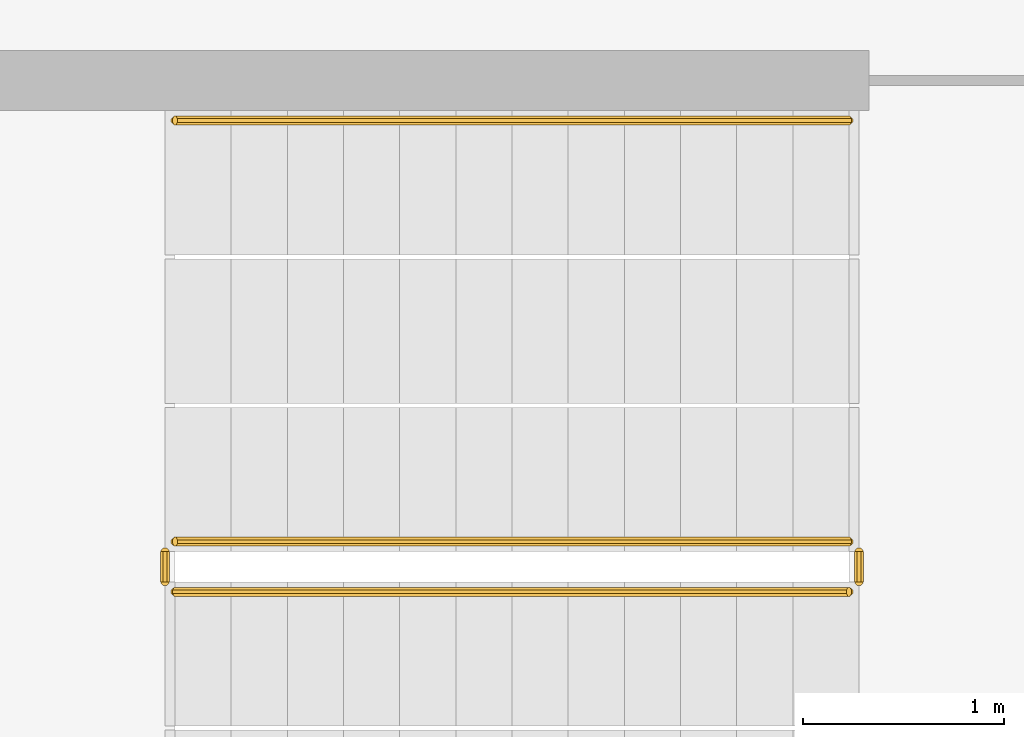
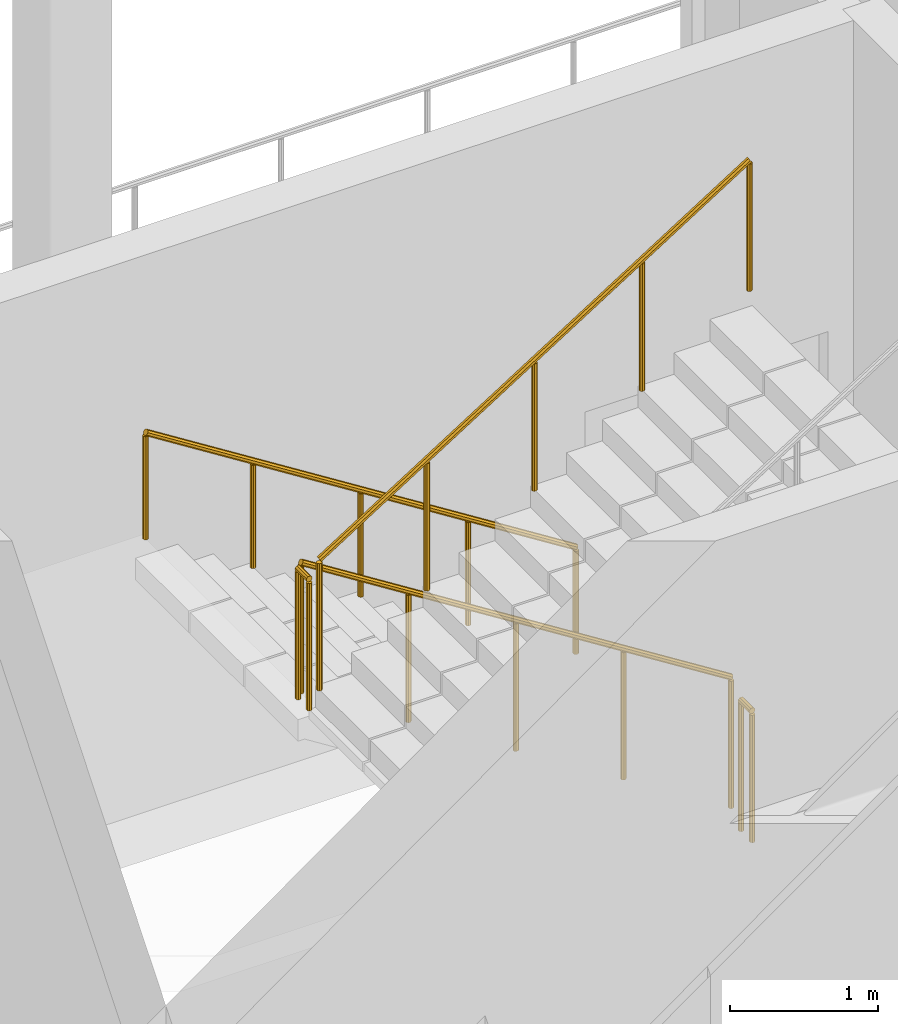
# One storey, part 22 of 31: 5 railings.
"""IFC4 building model written with IfcOpenShell, lengths in metres."""

from ifc_helpers import new_model, si_unit, direction, frame, origin, place, context, subcontext, project, spatial, polyline, outline, extrude, material, type_object, element, save


model = new_model("IFC4")

# Units and contexts
model_context = context("Model", 3, precision=1e-05, world=origin(), true_north=direction((0.0, 1.0)))
body_context = subcontext(model_context, "Body", "Model", "MODEL_VIEW")
ifc_project = project(units=[si_unit("LENGTHUNIT", "METRE"), si_unit("AREAUNIT", "SQUARE_METRE"), si_unit("VOLUMEUNIT", "CUBIC_METRE"), si_unit("PLANEANGLEUNIT", "RADIAN"), si_unit("MASSUNIT", "GRAM", prefix="KILO")], contexts=[model_context])

# Site, building, storey
site_placement = place(None, origin())
site = spatial("IfcSite", under=ifc_project, at=site_placement, CompositionType="ELEMENT")
building_placement = place(site_placement, origin())
building = spatial("IfcBuilding", under=site, at=building_placement, Name="Cormorant Relay Tower", CompositionType="ELEMENT")
storey_placement = place(building_placement, frame((0.0, 0.0, 107.60009765625)))
storey = spatial("IfcBuildingStorey", under=building, at=storey_placement, Name="L21", CompositionType="ELEMENT", Elevation=107.60009765625)

# Railings
ifc_material_1 = material(Name="Steel ASTM A572 Grade 50 (Fy 345 MPa)", Category="steel")
railing_type_1 = type_object("IfcRailingType", Name="Stair guard 1100", PredefinedType="GUARDRAIL", material=ifc_material_1)
railing_1_placement = place(storey_placement, frame((1.60009765625, -18.27490234375, 0.1767578125)))
element("IfcRailing", 1, at=railing_1_placement, inside=storey, type_object=railing_type_1, Name="L21 RK1 stair guard 1", PredefinedType="GUARDRAIL", context=body_context, shape_type="SweptSolid", body=[
    extrude(outline(polyline([(0.022216796875, 0.00927734375), (0.00927734375, 0.022216796875), (-0.00927734375, 0.022216796875), (-0.022216796875, 0.00927734375), (-0.022216796875, -0.00927734375), (-0.00927734375, -0.022216796875), (0.00927734375, -0.022216796875), (0.022216796875, -0.00927734375), (0.022216796875, 0.00927734375)])), frame((0.0, 0.0, 1.076171875), z_axis=(-0.845389635667, 0.0, 0.534150132366), x_axis=(0.0, -1.0, 0.0)), (0.0, 0.0, 1.0), 3.974609375),
    extrude(outline(polyline([(0.019287109375, 0.008056640625), (0.008056640625, 0.019287109375), (-0.008056640625, 0.019287109375), (-0.019287109375, 0.008056640625), (-0.019287109375, -0.008056640625), (-0.008056640625, -0.019287109375), (0.008056640625, -0.019287109375), (0.019287109375, -0.008056640625), (0.019287109375, 0.008056640625)])), origin(), (0.0, 0.0, 1.0), 1.052001953125),
    extrude(outline(polyline([(0.019287109375, 0.008056640625), (0.008056640625, 0.019287109375), (-0.008056640625, 0.019287109375), (-0.019287109375, 0.008056640625), (-0.019287109375, -0.008056640625), (-0.008056640625, -0.019287109375), (0.008056640625, -0.019287109375), (0.019287109375, -0.008056640625), (0.019287109375, 0.008056640625)])), frame((-0.840087890625, 0.0, 0.53076171875)), (0.0, 0.0, 1.0), 1.052001953125),
    extrude(outline(polyline([(0.019287109375, 0.008056640625), (0.008056640625, 0.019287109375), (-0.008056640625, 0.019287109375), (-0.019287109375, 0.008056640625), (-0.019287109375, -0.008056640625), (-0.008056640625, -0.019287109375), (0.008056640625, -0.019287109375), (0.019287109375, -0.008056640625), (0.019287109375, 0.008056640625)])), frame((-1.68017578125, 0.0, 1.0615234375)), (0.0, 0.0, 1.0), 1.052001953125),
    extrude(outline(polyline([(0.019287109375, 0.008056640625), (0.008056640625, 0.019287109375), (-0.008056640625, 0.019287109375), (-0.019287109375, 0.008056640625), (-0.019287109375, -0.008056640625), (-0.008056640625, -0.019287109375), (0.008056640625, -0.019287109375), (0.019287109375, -0.008056640625), (0.019287109375, 0.008056640625)])), frame((-2.52001953125, 0.0, 1.59228515625)), (0.0, 0.0, 1.0), 1.052001953125),
    extrude(outline(polyline([(0.019287109375, 0.008056640625), (0.008056640625, 0.019287109375), (-0.008056640625, 0.019287109375), (-0.019287109375, 0.008056640625), (-0.019287109375, -0.008056640625), (-0.008056640625, -0.019287109375), (0.008056640625, -0.019287109375), (0.019287109375, -0.008056640625), (0.019287109375, 0.008056640625)])), frame((-3.360107421875, 0.0, 2.123046875)), (0.0, 0.0, 1.0), 1.052001953125),
])
railing_2_placement = place(storey_placement, frame((-1.81005859375, -18.324951171875, 2.2998046875)))
element("IfcRailing", 2, at=railing_2_placement, inside=storey, type_object=railing_type_1, Name="L21 RK1 stair guard 2", PredefinedType="GUARDRAIL", context=body_context, shape_type="SweptSolid", body=[
    extrude(outline(polyline([(0.022216796875, 0.00927734375), (0.00927734375, 0.022216796875), (-0.00927734375, 0.022216796875), (-0.022216796875, 0.00927734375), (-0.022216796875, -0.00927734375), (-0.00927734375, -0.022216796875), (0.00927734375, -0.022216796875), (0.022216796875, -0.00927734375), (0.022216796875, 0.00927734375)])), frame((0.0, 0.0, 1.076171875), z_axis=(0.0, -1.0, 0.0), x_axis=(1.0, 0.0, 0.0)), (0.0, 0.0, 1.0), 0.150146484375),
    extrude(outline(polyline([(0.019287109375, 0.008056640625), (0.008056640625, 0.019287109375), (-0.008056640625, 0.019287109375), (-0.019287109375, 0.008056640625), (-0.019287109375, -0.008056640625), (-0.008056640625, -0.019287109375), (0.008056640625, -0.019287109375), (0.019287109375, -0.008056640625), (0.019287109375, 0.008056640625)])), origin(), (0.0, 0.0, 1.0), 1.052001953125),
    extrude(outline(polyline([(0.019287109375, 0.008056640625), (0.008056640625, 0.019287109375), (-0.008056640625, 0.019287109375), (-0.019287109375, 0.008056640625), (-0.019287109375, -0.008056640625), (-0.008056640625, -0.019287109375), (0.008056640625, -0.019287109375), (0.019287109375, -0.008056640625), (0.019287109375, 0.008056640625)])), frame((0.0, -0.150146484375, 0.0)), (0.0, 0.0, 1.0), 1.052001953125),
])
railing_3_placement = place(storey_placement, frame((-1.760009765625, -18.52490234375, 2.476806640625)))
element("IfcRailing", 3, at=railing_3_placement, inside=storey, type_object=railing_type_1, Name="L21 RK1 stair guard 3", PredefinedType="GUARDRAIL", context=body_context, shape_type="SweptSolid", body=[
    extrude(outline(polyline([(0.022216796875, 0.00927734375), (0.00927734375, 0.022216796875), (-0.00927734375, 0.022216796875), (-0.022216796875, 0.00927734375), (-0.022216796875, -0.00927734375), (-0.00927734375, -0.022216796875), (0.00927734375, -0.022216796875), (0.022216796875, -0.00927734375), (0.022216796875, 0.00927734375)])), frame((0.0, 0.0, 1.076171875), z_axis=(0.845389635667, 0.0, 0.534150132366), x_axis=(0.0, 1.0, 0.0)), (0.0, 0.0, 1.0), 3.974609375),
    extrude(outline(polyline([(0.019287109375, 0.008056640625), (0.008056640625, 0.019287109375), (-0.008056640625, 0.019287109375), (-0.019287109375, 0.008056640625), (-0.019287109375, -0.008056640625), (-0.008056640625, -0.019287109375), (0.008056640625, -0.019287109375), (0.019287109375, -0.008056640625), (0.019287109375, 0.008056640625)])), origin(), (0.0, 0.0, 1.0), 1.052001953125),
    extrude(outline(polyline([(0.019287109375, 0.008056640625), (0.008056640625, 0.019287109375), (-0.008056640625, 0.019287109375), (-0.019287109375, 0.008056640625), (-0.019287109375, -0.008056640625), (-0.008056640625, -0.019287109375), (0.008056640625, -0.019287109375), (0.019287109375, -0.008056640625), (0.019287109375, 0.008056640625)])), frame((0.840087890625, 0.0, 0.53076171875)), (0.0, 0.0, 1.0), 1.052001953125),
    extrude(outline(polyline([(0.019287109375, 0.008056640625), (0.008056640625, 0.019287109375), (-0.008056640625, 0.019287109375), (-0.019287109375, 0.008056640625), (-0.019287109375, -0.008056640625), (-0.008056640625, -0.019287109375), (0.008056640625, -0.019287109375), (0.019287109375, -0.008056640625), (0.019287109375, 0.008056640625)])), frame((1.68017578125, 0.0, 1.0615234375)), (0.0, 0.0, 1.0), 1.052001953125),
    extrude(outline(polyline([(0.019287109375, 0.008056640625), (0.008056640625, 0.019287109375), (-0.008056640625, 0.019287109375), (-0.019287109375, 0.008056640625), (-0.019287109375, -0.008056640625), (-0.008056640625, -0.019287109375), (0.008056640625, -0.019287109375), (0.019287109375, -0.008056640625), (0.019287109375, 0.008056640625)])), frame((2.52001953125, 0.0, 1.59228515625)), (0.0, 0.0, 1.0), 1.052001953125),
    extrude(outline(polyline([(0.019287109375, 0.008056640625), (0.008056640625, 0.019287109375), (-0.008056640625, 0.019287109375), (-0.019287109375, 0.008056640625), (-0.019287109375, -0.008056640625), (-0.008056640625, -0.019287109375), (0.008056640625, -0.019287109375), (0.019287109375, -0.008056640625), (0.019287109375, 0.008056640625)])), frame((3.360107421875, 0.0, 2.123046875)), (0.0, 0.0, 1.0), 1.052001953125),
])
railing_4_placement = place(storey_placement, frame((1.64990234375, -18.324951171875, 0.0)))
element("IfcRailing", 4, at=railing_4_placement, inside=storey, type_object=railing_type_1, Name="L21 RK1 stair guard 4", PredefinedType="GUARDRAIL", context=body_context, shape_type="SweptSolid", body=[
    extrude(outline(polyline([(0.022216796875, 0.00927734375), (0.00927734375, 0.022216796875), (-0.00927734375, 0.022216796875), (-0.022216796875, 0.00927734375), (-0.022216796875, -0.00927734375), (-0.00927734375, -0.022216796875), (0.00927734375, -0.022216796875), (0.022216796875, -0.00927734375), (0.022216796875, 0.00927734375)])), frame((0.0, 0.0, 1.076171875), z_axis=(0.0, -1.0, 0.0), x_axis=(1.0, 0.0, 0.0)), (0.0, 0.0, 1.0), 0.150146484375),
    extrude(outline(polyline([(0.019287109375, 0.008056640625), (0.008056640625, 0.019287109375), (-0.008056640625, 0.019287109375), (-0.019287109375, 0.008056640625), (-0.019287109375, -0.008056640625), (-0.008056640625, -0.019287109375), (0.008056640625, -0.019287109375), (0.019287109375, -0.008056640625), (0.019287109375, 0.008056640625)])), origin(), (0.0, 0.0, 1.0), 1.052001953125),
    extrude(outline(polyline([(0.019287109375, 0.008056640625), (0.008056640625, 0.019287109375), (-0.008056640625, 0.019287109375), (-0.019287109375, 0.008056640625), (-0.019287109375, -0.008056640625), (-0.008056640625, -0.019287109375), (0.008056640625, -0.019287109375), (0.019287109375, -0.008056640625), (0.019287109375, 0.008056640625)])), frame((0.0, -0.150146484375, 0.0)), (0.0, 0.0, 1.0), 1.052001953125),
])
ifc_material_2 = material(Name="Steel ASTM A572 Grade 50 (Fy 345 MPa)", Category="steel")
railing_type_2 = type_object("IfcRailingType", Name="Stair handrail 900", PredefinedType="HANDRAIL", material=ifc_material_2)
railing_5_placement = place(storey_placement, frame((1.60009765625, -16.175048828125, 0.1767578125)))
element("IfcRailing", 5, at=railing_5_placement, inside=storey, type_object=railing_type_2, Name="L21 RK1 stair handrail 1", PredefinedType="HANDRAIL", context=body_context, shape_type="SweptSolid", body=[
    extrude(outline(polyline([(0.022216796875, 0.00927734375), (0.00927734375, 0.022216796875), (-0.00927734375, 0.022216796875), (-0.022216796875, 0.00927734375), (-0.022216796875, -0.00927734375), (-0.00927734375, -0.022216796875), (0.00927734375, -0.022216796875), (0.022216796875, -0.00927734375), (0.022216796875, 0.00927734375)])), frame((0.0, 0.0, 0.8759765625), z_axis=(-0.845389635667, 0.0, 0.534150132366), x_axis=(0.0, -1.0, 0.0)), (0.0, 0.0, 1.0), 3.974609375),
    extrude(outline(polyline([(0.019287109375, 0.008056640625), (0.008056640625, 0.019287109375), (-0.008056640625, 0.019287109375), (-0.019287109375, 0.008056640625), (-0.019287109375, -0.008056640625), (-0.008056640625, -0.019287109375), (0.008056640625, -0.019287109375), (0.019287109375, -0.008056640625), (0.019287109375, 0.008056640625)])), origin(), (0.0, 0.0, 1.0), 0.851806640625),
    extrude(outline(polyline([(0.019287109375, 0.008056640625), (0.008056640625, 0.019287109375), (-0.008056640625, 0.019287109375), (-0.019287109375, 0.008056640625), (-0.019287109375, -0.008056640625), (-0.008056640625, -0.019287109375), (0.008056640625, -0.019287109375), (0.019287109375, -0.008056640625), (0.019287109375, 0.008056640625)])), frame((-0.840087890625, 0.0, 0.53076171875)), (0.0, 0.0, 1.0), 0.851806640625),
    extrude(outline(polyline([(0.019287109375, 0.008056640625), (0.008056640625, 0.019287109375), (-0.008056640625, 0.019287109375), (-0.019287109375, 0.008056640625), (-0.019287109375, -0.008056640625), (-0.008056640625, -0.019287109375), (0.008056640625, -0.019287109375), (0.019287109375, -0.008056640625), (0.019287109375, 0.008056640625)])), frame((-1.68017578125, 0.0, 1.0615234375)), (0.0, 0.0, 1.0), 0.851806640625),
    extrude(outline(polyline([(0.019287109375, 0.008056640625), (0.008056640625, 0.019287109375), (-0.008056640625, 0.019287109375), (-0.019287109375, 0.008056640625), (-0.019287109375, -0.008056640625), (-0.008056640625, -0.019287109375), (0.008056640625, -0.019287109375), (0.019287109375, -0.008056640625), (0.019287109375, 0.008056640625)])), frame((-2.52001953125, 0.0, 1.59228515625)), (0.0, 0.0, 1.0), 0.851806640625),
    extrude(outline(polyline([(0.019287109375, 0.008056640625), (0.008056640625, 0.019287109375), (-0.008056640625, 0.019287109375), (-0.019287109375, 0.008056640625), (-0.019287109375, -0.008056640625), (-0.008056640625, -0.019287109375), (0.008056640625, -0.019287109375), (0.019287109375, -0.008056640625), (0.019287109375, 0.008056640625)])), frame((-3.360107421875, 0.0, 2.123046875)), (0.0, 0.0, 1.0), 0.851806640625),
])

save(model, "model.ifc")
